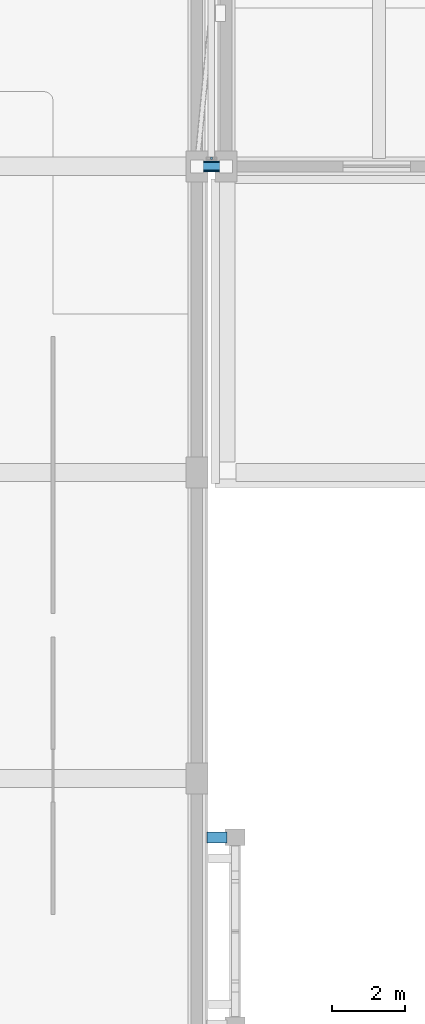
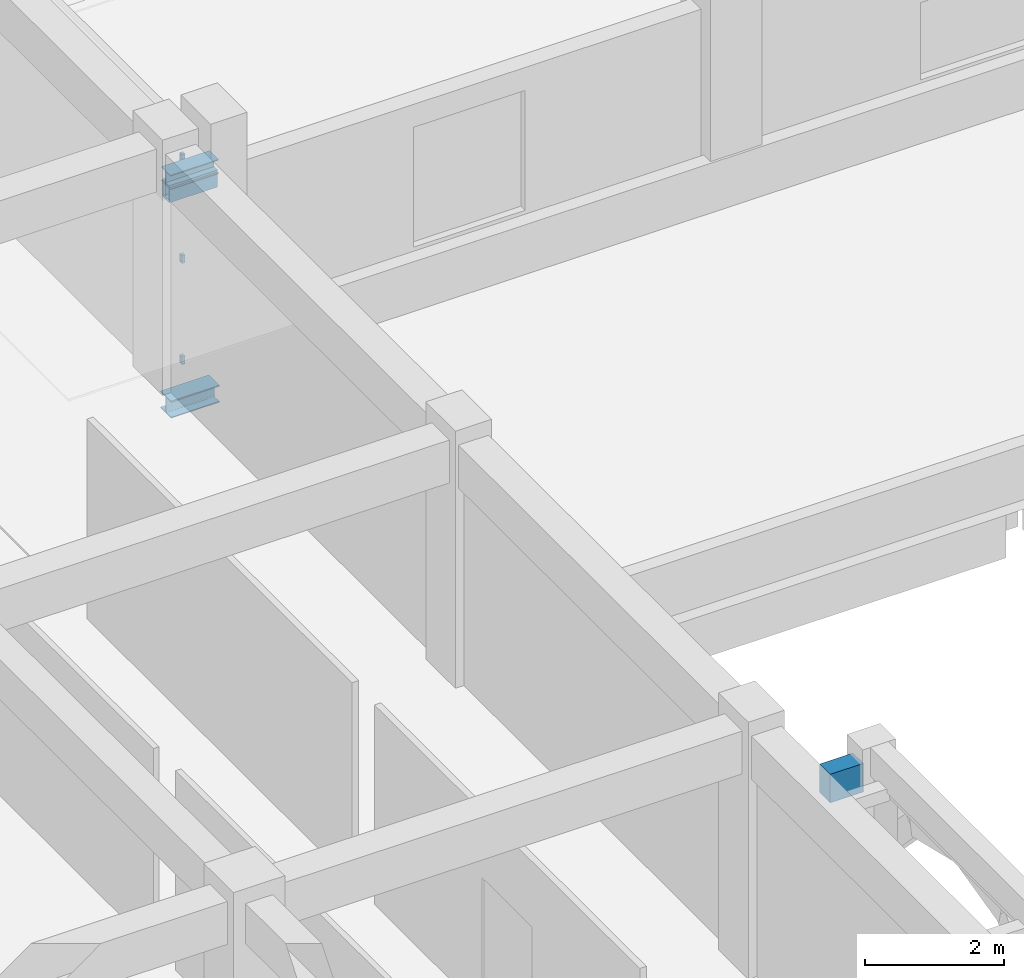
# One storey, part 80 of 129: 4 members, 3 beams, 1 element without a shape of its own.
"""IFC4 building model written with IfcOpenShell, lengths in metres."""

from ifc_helpers import new_model, si_unit, direction, frame, origin, origin_2d, place, context, subcontext, project, spatial, rectangle, hollow_rectangle, i_section, extrude, material, layer, layer_set, material_profile, profile_set, type_object, element, aggregate, save


model = new_model("IFC4")

# Units and contexts
model_context = context("Model", 3, precision=1e-05, world=origin(), true_north=direction((0.0, 1.0)))
body_context = subcontext(model_context, "Body", "Model", "MODEL_VIEW")
ifc_project = project(units=[si_unit("LENGTHUNIT", "METRE"), si_unit("AREAUNIT", "SQUARE_METRE"), si_unit("VOLUMEUNIT", "CUBIC_METRE"), si_unit("PLANEANGLEUNIT", "RADIAN"), si_unit("MASSUNIT", "GRAM", prefix="KILO")], contexts=[model_context])

# Site, building, storey
site_placement = place(None, origin())
site = spatial("IfcSite", under=ifc_project, at=site_placement, CompositionType="ELEMENT")
building_placement = place(site_placement, origin())
building = spatial("IfcBuilding", under=site, at=building_placement, Name="Xazarin Passage Department Store", CompositionType="ELEMENT")
storey_placement = place(building_placement, frame((0.0, 0.0, 9.89990234375)))
storey = spatial("IfcBuildingStorey", under=building, at=storey_placement, Name="L02", CompositionType="ELEMENT", Elevation=9.89990234375)

# Curtain wall, members
ifc_material_1 = material(Name="Bronze anodised aluminium", Category="aluminium")
ifc_layer = layer(ifc_material_1, 0.14990234375)
ifc_layer_set = layer_set([ifc_layer], Name="Bronze anodised aluminium")
curtain_wall_type = type_object("IfcCurtainWallType", Name="ARC-CW-BRG1", PredefinedType="NOTDEFINED", material=ifc_layer_set)
curtain_wall_placement = place(storey_placement, origin())
curtain_wall = element("IfcCurtainWall", 1, at=curtain_wall_placement, inside=storey, type_object=curtain_wall_type, Name="L02 BR-V2N-V4 Bridge Curtain Wall 1", PredefinedType="NOTDEFINED")
ifc_material_profile_1 = material_profile(ifc_material_1, hollow_rectangle(XDim=0.06494140625, YDim=0.139892578125, WallThickness=0.00390625, at=origin_2d()), Name="ALU 65x140")
ifc_profile_set_1 = profile_set([ifc_material_profile_1], Name="Bronze anodised aluminium")
member_type_1 = type_object("IfcMemberType", Name="ARC-CWT-65x140", PredefinedType="USERDEFINED", material=ifc_profile_set_1)
member_1_placement = place(storey_placement, frame((101.97509765625, 85.02001953125, 0.03271484375), z_axis=(1.0, 0.0, 0.0), x_axis=(0.0, 1.0, 0.0)))
member_1 = element("IfcMember", 2, at=member_1_placement, type_object=member_type_1, Name="CW7 transom 1.1", ObjectType="TRANSOM", PredefinedType="USERDEFINED", context=body_context, shape_type="SweptSolid", body=[
    extrude(hollow_rectangle(XDim=0.06494140625, YDim=0.139892578125, WallThickness=0.00390625, at=origin_2d()), origin(), (0.0, 0.0, 1.0), 0.0498046875),
])
member_2_placement = place(storey_placement, frame((101.97509765625, 85.02001953125, 1.800048828125), z_axis=(1.0, 0.0, 0.0), x_axis=(0.0, 1.0, 0.0)))
member_2 = element("IfcMember", 3, at=member_2_placement, type_object=member_type_1, Name="CW7 transom 1.2", ObjectType="TRANSOM", PredefinedType="USERDEFINED", context=body_context, shape_type="SweptSolid", body=[
    extrude(hollow_rectangle(XDim=0.06494140625, YDim=0.139892578125, WallThickness=0.00390625, at=origin_2d()), origin(), (0.0, 0.0, 1.0), 0.0498046875),
])
member_3_placement = place(storey_placement, frame((101.97509765625, 85.02001953125, 3.567626953125), z_axis=(1.0, 0.0, 0.0), x_axis=(0.0, 1.0, 0.0)))
member_3 = element("IfcMember", 4, at=member_3_placement, type_object=member_type_1, Name="CW7 transom 1.3", ObjectType="TRANSOM", PredefinedType="USERDEFINED", context=body_context, shape_type="SweptSolid", body=[
    extrude(hollow_rectangle(XDim=0.06494140625, YDim=0.139892578125, WallThickness=0.00390625, at=origin_2d()), origin(), (0.0, 0.0, 1.0), 0.0498046875),
])
aggregate(curtain_wall, [member_1, member_2, member_3])

# Beams
ifc_material_2 = material(Name="Steel S355", Category="steel")
ifc_material_profile_2 = material_profile(ifc_material_2, i_section(OverallWidth=0.300048828125, OverallDepth=0.300048828125, WebThickness=0.010986328125, FlangeThickness=0.01904296875, FilletRadius=0.027099609375, at=origin_2d()), Name="HEB 300")
ifc_profile_set_2 = profile_set([ifc_material_profile_2], Name="Steel S355")
beam_type_1 = type_object("IfcBeamType", Name="STR-BM-BR300", PredefinedType="BEAM", material=ifc_profile_set_2)
beam_1_placement = place(storey_placement, frame((101.60009765625, 84.800048828125, -0.489990234375), z_axis=(1.0, 0.0, 0.0), x_axis=(0.0, 1.0, 0.0)))
element("IfcBeam", 5, at=beam_1_placement, inside=storey, type_object=beam_type_1, Name="L02 BR-V2N-V4 Bridge Girder A", PredefinedType="BEAM", context=body_context, shape_type="SweptSolid", body=[
    extrude(i_section(OverallWidth=0.300048828125, OverallDepth=0.300048828125, WebThickness=0.010986328125, FlangeThickness=0.01904296875, FilletRadius=0.027099609375, at=origin_2d()), origin(), (0.0, 0.0, 1.0), 0.7998046875),
])
ifc_material_profile_3 = material_profile(ifc_material_2, i_section(OverallWidth=0.260009765625, OverallDepth=0.25, WebThickness=0.007568359375, FlangeThickness=0.012451171875, FilletRadius=0.02392578125, at=origin_2d()), Name="HEA 260")
ifc_profile_set_3 = profile_set([ifc_material_profile_3], Name="Steel S355")
beam_type_2 = type_object("IfcBeamType", Name="STR-BM-CAN260", PredefinedType="BEAM", material=ifc_profile_set_3)
beam_2_placement = place(storey_placement, frame((101.60009765625, 84.800048828125, 3.47509765625), z_axis=(1.0, 0.0, 0.0), x_axis=(0.0, 1.0, 0.0)))
element("IfcBeam", 6, at=beam_2_placement, inside=storey, type_object=beam_type_2, Name="L02 BR-V2N-V4 Bridge Roof Beam A", PredefinedType="BEAM", context=body_context, shape_type="SweptSolid", body=[
    extrude(i_section(OverallWidth=0.260009765625, OverallDepth=0.25, WebThickness=0.007568359375, FlangeThickness=0.012451171875, FilletRadius=0.02392578125, at=origin_2d()), origin(), (0.0, 0.0, 1.0), 0.7998046875),
])
ifc_material_3 = material(Name="Concrete C35/45", Category="concrete")
ifc_material_profile_4 = material_profile(ifc_material_3, rectangle(XDim=0.300048828125, YDim=0.5, at=origin_2d()), Name="RC 300x500")
ifc_profile_set_4 = profile_set([ifc_material_profile_4], Name="Concrete C35/45")
beam_type_3 = type_object("IfcBeamType", Name="STR-BM-LN300x500", PredefinedType="LINTEL", material=ifc_profile_set_4)
beam_3_placement = place(storey_placement, frame((101.8798828125, 66.3798828125, 3.9501953125), z_axis=(1.0, 0.0, 0.0), x_axis=(0.0, 1.0, 0.0)))
element("IfcBeam", 7, at=beam_3_placement, inside=storey, type_object=beam_type_3, Name="L02 V2N Colonnade Tie Rib 025R", PredefinedType="LINTEL", context=body_context, shape_type="SweptSolid", body=[
    extrude(rectangle(XDim=0.300048828125, YDim=0.5, at=origin_2d()), origin(), (0.0, 0.0, 1.0), 0.550048828125),
])

# Member
ifc_material_profile_5 = material_profile(ifc_material_2, hollow_rectangle(XDim=0.199951171875, YDim=0.300048828125, WallThickness=0.012451171875, at=origin_2d()), Name="RHS 300x200x12.5")
ifc_profile_set_5 = profile_set([ifc_material_profile_5], Name="Steel S355")
member_type_2 = type_object("IfcMemberType", Name="STR-MEM-CH300", PredefinedType="CHORD", material=ifc_profile_set_5)
member_4_placement = place(storey_placement, frame((101.60009765625, 84.800048828125, 3.25), z_axis=(1.0, 0.0, 0.0), x_axis=(0.0, 1.0, 0.0)))
element("IfcMember", 8, at=member_4_placement, inside=storey, type_object=member_type_2, Name="L02 BR-V2N-V4 Bridge Chord A", PredefinedType="CHORD", context=body_context, shape_type="SweptSolid", body=[
    extrude(hollow_rectangle(XDim=0.199951171875, YDim=0.300048828125, WallThickness=0.012451171875, at=origin_2d()), origin(), (0.0, 0.0, 1.0), 0.7998046875),
])

save(model, "model.ifc")
